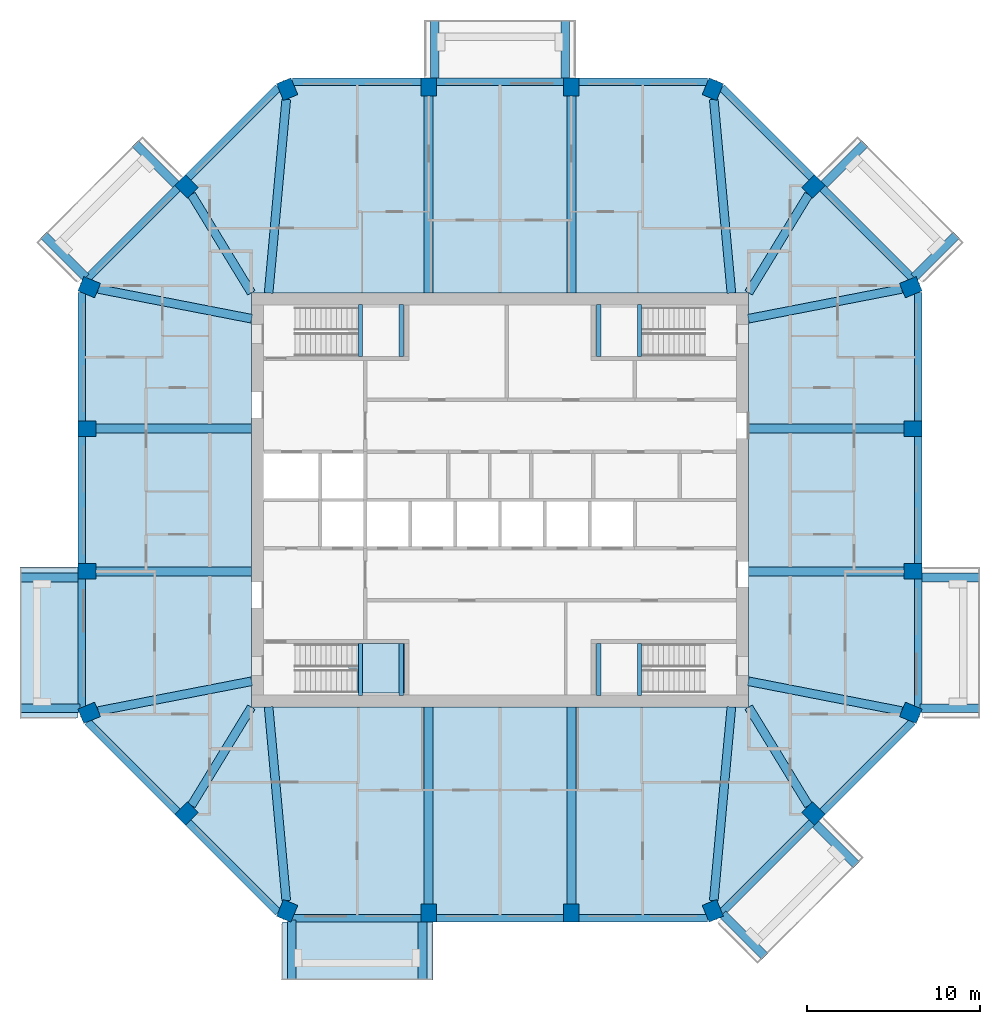
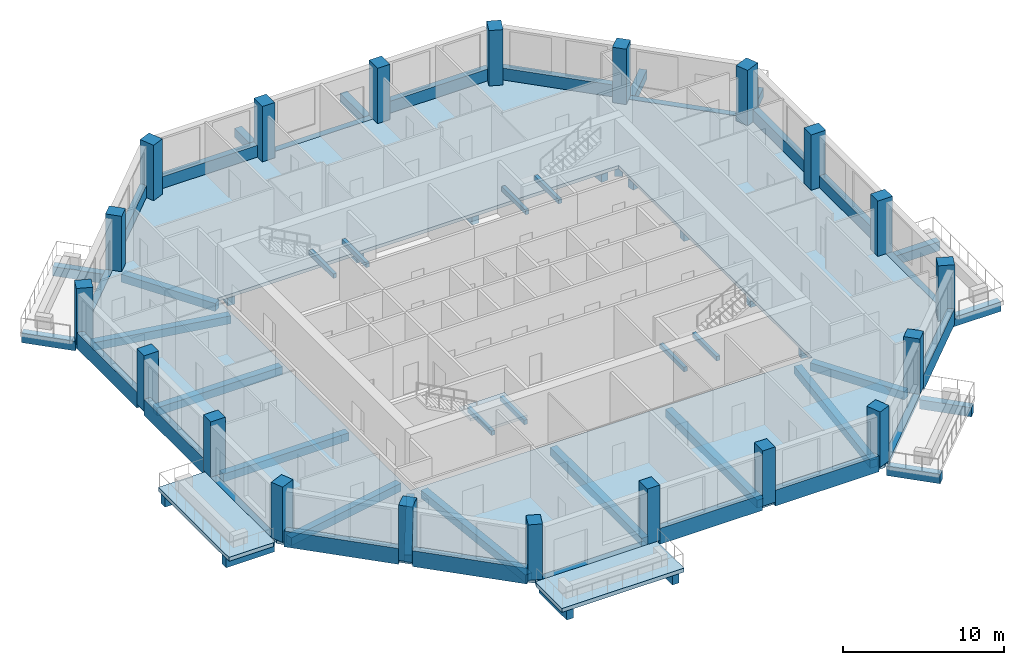
# One storey, part 1 of 10: 62 beams, 20 columns, 4 slabs, 1 element without a shape of its own.
"""IFC4 building model written with IfcOpenShell, lengths in metres."""

from ifc_helpers import new_model, si_unit, direction, frame, origin, origin_2d, place, context, subcontext, project, spatial, polyline, rectangle, outline, extrude, material, layer, layer_set, material_profile, profile_set, type_object, element, aggregate, save


model = new_model("IFC4")

# Units and contexts
model_context = context("Model", 3, precision=1e-05, world=origin(), true_north=direction((0.0, 1.0)))
body_context = subcontext(model_context, "Body", "Model", "MODEL_VIEW")
ifc_project = project(units=[si_unit("LENGTHUNIT", "METRE"), si_unit("AREAUNIT", "SQUARE_METRE"), si_unit("VOLUMEUNIT", "CUBIC_METRE"), si_unit("PLANEANGLEUNIT", "RADIAN"), si_unit("MASSUNIT", "GRAM", prefix="KILO")], contexts=[model_context])

# Site, building, storey
site_placement = place(None, origin())
site = spatial("IfcSite", under=ifc_project, at=site_placement, CompositionType="ELEMENT")
building_placement = place(site_placement, origin())
building = spatial("IfcBuilding", under=site, at=building_placement, Name="Msitu Wima Residences", CompositionType="ELEMENT")
storey_placement = place(building_placement, frame((0.0, 0.0, 195.89990234375)))
storey = spatial("IfcBuildingStorey", under=building, at=storey_placement, Name="L45", CompositionType="ELEMENT", Elevation=195.89990234375)

# Columns
ifc_material_1 = material(Name="Concrete C60/75", Category="concrete")
ifc_material_profile_1 = material_profile(ifc_material_1, rectangle(XDim=0.89990234375, YDim=1.050048828125, at=origin_2d()), Name="RC 900x1050")
ifc_profile_set_1 = profile_set([ifc_material_profile_1], Name="Concrete C60/75")
column_type = type_object("IfcColumnType", Name="Column RC 900x1050 Concrete C60/75", PredefinedType="COLUMN", material=ifc_profile_set_1)
for number, where, z_axis, x_axis, name in (
    (1, (23.792724609375, -12.325927734375, 0.0), (0.0, 0.0, 1.0), (0.382683496864, 0.923879505795, 0.0), "Column L45 C-E0"),
    (2, (23.925048828125, -4.13720703125, 0.0), (0.0, 0.0, 1.0), (0.0, 1.0, 0.0), "Column L45 C-E1"),
    (3, (23.925048828125, 4.13720703125, 0.0), (0.0, 0.0, 1.0), (0.0, 1.0, 0.0), "Column L45 C-E2"),
    (4, (23.792724609375, 12.325927734375, 0.0), (0.0, 0.0, 1.0), (-0.382683496864, 0.923879505795, 0.0), "Column L45 C-NE0"),
    (5, (18.15283203125, 18.15283203125, 0.0), (0.0, 0.0, 1.0), (-0.707106781187, 0.707106781187, 0.0), "Column L45 C-NE1"),
    (6, (12.325927734375, 23.792724609375, 0.0), (0.0, 0.0, 1.0), (-0.923879505795, 0.382683496864, 0.0), "Column L45 C-N0"),
    (7, (4.13720703125, 23.925048828125, 0.0), (0.0, 0.0, 1.0), (-1.0, 0.0, 0.0), "Column L45 C-N1"),
    (8, (-4.13720703125, 23.925048828125, 0.0), (0.0, 0.0, 1.0), (-1.0, 0.0, 0.0), "Column L45 C-N2"),
    (9, (-12.325927734375, 23.792724609375, 0.0), (0.0, 0.0, 1.0), (-0.923879505795, -0.382683496864, 0.0), "Column L45 C-NW0"),
    (10, (-18.15283203125, 18.15283203125, 0.0), (0.0, 0.0, 1.0), (-0.707106781187, -0.707106781187, 0.0), "Column L45 C-NW1"),
    (11, (-23.792724609375, 12.325927734375, 0.0), (0.0, 0.0, 1.0), (-0.382683496864, -0.923879505795, 0.0), "Column L45 C-W0"),
    (12, (-23.925048828125, 4.13720703125, 0.0), (0.0, 0.0, 1.0), (0.0, -1.0, 0.0), "Column L45 C-W1"),
    (13, (-23.925048828125, -4.13720703125, 0.0), (0.0, 0.0, 1.0), (0.0, -1.0, 0.0), "Column L45 C-W2"),
    (14, (-23.792724609375, -12.325927734375, 0.0), (0.0, 0.0, 1.0), (0.382683496864, -0.923879505795, 0.0), "Column L45 C-SW0"),
    (15, (-18.15283203125, -18.15283203125, 0.0), (0.0, 0.0, 1.0), (0.707106781187, -0.707106781187, 0.0), "Column L45 C-SW1"),
    (16, (-12.325927734375, -23.792724609375, 0.0), (0.0, 0.0, 1.0), (0.923879505795, -0.382683496864, 0.0), "Column L45 C-S0"),
    (17, (-4.13720703125, -23.925048828125, 0.0), (0.0, 0.0, 1.0), (1.0, 0.0, 0.0), "Column L45 C-S1"),
    (18, (4.13720703125, -23.925048828125, 0.0), (0.0, 0.0, 1.0), (1.0, 0.0, 0.0), "Column L45 C-S2"),
    (19, (12.325927734375, -23.792724609375, 0.0), (0.0, 0.0, 1.0), (0.923879505795, 0.382683496864, 0.0), "Column L45 C-SE0"),
    (20, (18.15283203125, -18.15283203125, 0.0), (0.0, 0.0, 1.0), (0.707106781187, 0.707106781187, 0.0), "Column L45 C-SE1"),
):
    element("IfcColumn", number, at=place(storey_placement, frame(where, z_axis=z_axis, x_axis=x_axis)), inside=storey, type_object=column_type, Name=name, PredefinedType="COLUMN", context=body_context, shape_type="SweptSolid", body=[
        extrude(rectangle(XDim=0.89990234375, YDim=1.050048828125, at=origin_2d()), origin(), (0.0, 0.0, 1.0), 4.2001953125),
    ])

# Beams
ifc_material_2 = material(Name="Concrete C50/60", Category="concrete")
ifc_material_profile_2 = material_profile(ifc_material_2, rectangle(XDim=0.5, YDim=0.60009765625, at=origin_2d()), Name="RC 500x600")
ifc_profile_set_2 = profile_set([ifc_material_profile_2], Name="Concrete C50/60")
beam_type_1 = type_object("IfcBeamType", Name="Beam RC 500x600 Concrete C50/60", PredefinedType="BEAM", material=ifc_profile_set_2)
beam_1_placement = place(storey_placement, frame((23.266845703125, -12.2236328125, -0.5498046875), z_axis=(-0.981627328559, 0.190808248841, 0.0), x_axis=(-0.190808248841, -0.981627328559, 0.0)))
element("IfcBeam", 21, at=beam_1_placement, inside=storey, type_object=beam_type_1, Name="Beam L45 C-E0", PredefinedType="BEAM", context=body_context, shape_type="SweptSolid", body=[
    extrude(rectangle(XDim=0.5, YDim=0.60009765625, at=origin_2d()), origin(), (0.0, 0.0, 1.0), 9.044921875),
])
for number, where, z_axis, x_axis, name in (
    (22, (23.39990234375, -4.13720703125, -0.5498046875), (-1.0, 0.0, 0.0), (0.0, -1.0, 0.0), "Beam L45 C-E1"),
    (23, (23.39990234375, 4.13720703125, -0.5498046875), (-1.0, 0.0, 0.0), (0.0, -1.0, 0.0), "Beam L45 C-E2"),
):
    element("IfcBeam", number, at=place(storey_placement, frame(where, z_axis=z_axis, x_axis=x_axis)), inside=storey, type_object=beam_type_1, Name=name, PredefinedType="BEAM", context=body_context, shape_type="SweptSolid", body=[
        extrude(rectangle(XDim=0.5, YDim=0.60009765625, at=origin_2d()), origin(), (0.0, 0.0, 1.0), 9.0),
    ])
beam_2_placement = place(storey_placement, frame((23.266845703125, 12.2236328125, -0.5498046875), z_axis=(-0.981627328559, -0.190808248841, 0.0), x_axis=(0.190808248841, -0.981627328559, 0.0)))
element("IfcBeam", 24, at=beam_2_placement, inside=storey, type_object=beam_type_1, Name="Beam L45 C-NE0", PredefinedType="BEAM", context=body_context, shape_type="SweptSolid", body=[
    extrude(rectangle(XDim=0.5, YDim=0.60009765625, at=origin_2d()), origin(), (0.0, 0.0, 1.0), 9.044921875),
])
beam_3_placement = place(storey_placement, frame((17.87158203125, 17.691650390625, -0.5498046875), z_axis=(-0.520734381113, -0.853718750132, 0.0), x_axis=(0.853718750132, -0.520734381113, 0.0)))
element("IfcBeam", 25, at=beam_3_placement, inside=storey, type_object=beam_type_1, Name="Beam L45 C-NE1", PredefinedType="BEAM", context=body_context, shape_type="SweptSolid", body=[
    extrude(rectangle(XDim=0.5, YDim=0.60009765625, at=origin_2d()), origin(), (0.0, 0.0, 1.0), 6.6669921875),
])
beam_4_placement = place(storey_placement, frame((12.379638671875, 23.2021484375, -0.5498046875), z_axis=(0.090713636077, -0.995877018627, 0.0), x_axis=(0.995877018627, 0.090713636077, 0.0)))
element("IfcBeam", 26, at=beam_4_placement, inside=storey, type_object=beam_type_1, Name="Beam L45 C-N0", PredefinedType="BEAM", context=body_context, shape_type="SweptSolid", body=[
    extrude(rectangle(XDim=0.5, YDim=0.60009765625, at=origin_2d()), origin(), (0.0, 0.0, 1.0), 11.260498046875),
])
for number, where, z_axis, x_axis, name in (
    (27, (4.13720703125, 23.39990234375, -0.5498046875), (0.0, -1.0, 0.0), (1.0, 0.0, 0.0), "Beam L45 C-N1"),
    (28, (-4.13720703125, 23.39990234375, -0.5498046875), (0.0, -1.0, 0.0), (1.0, 0.0, 0.0), "Beam L45 C-N2"),
):
    element("IfcBeam", number, at=place(storey_placement, frame(where, z_axis=z_axis, x_axis=x_axis)), inside=storey, type_object=beam_type_1, Name=name, PredefinedType="BEAM", context=body_context, shape_type="SweptSolid", body=[
        extrude(rectangle(XDim=0.5, YDim=0.60009765625, at=origin_2d()), origin(), (0.0, 0.0, 1.0), 11.39990234375),
    ])
beam_5_placement = place(storey_placement, frame((-12.379638671875, 23.2021484375, -0.5498046875), z_axis=(-0.090713636077, -0.995877018627, 0.0), x_axis=(0.995877018627, -0.090713636077, 0.0)))
element("IfcBeam", 29, at=beam_5_placement, inside=storey, type_object=beam_type_1, Name="Beam L45 C-NW0", PredefinedType="BEAM", context=body_context, shape_type="SweptSolid", body=[
    extrude(rectangle(XDim=0.5, YDim=0.60009765625, at=origin_2d()), origin(), (0.0, 0.0, 1.0), 11.260498046875),
])
beam_6_placement = place(storey_placement, frame((-17.87158203125, 17.691650390625, -0.5498046875), z_axis=(0.520734381113, -0.853718750132, 0.0), x_axis=(0.853718750132, 0.520734381113, 0.0)))
element("IfcBeam", 30, at=beam_6_placement, inside=storey, type_object=beam_type_1, Name="Beam L45 C-NW1", PredefinedType="BEAM", context=body_context, shape_type="SweptSolid", body=[
    extrude(rectangle(XDim=0.5, YDim=0.60009765625, at=origin_2d()), origin(), (0.0, 0.0, 1.0), 6.6669921875),
])
beam_7_placement = place(storey_placement, frame((-23.266845703125, 12.2236328125, -0.5498046875), z_axis=(0.981627328559, -0.190808248841, 0.0), x_axis=(0.190808248841, 0.981627328559, 0.0)))
element("IfcBeam", 31, at=beam_7_placement, inside=storey, type_object=beam_type_1, Name="Beam L45 C-W0", PredefinedType="BEAM", context=body_context, shape_type="SweptSolid", body=[
    extrude(rectangle(XDim=0.5, YDim=0.60009765625, at=origin_2d()), origin(), (0.0, 0.0, 1.0), 9.044921875),
])
for number, where, z_axis, x_axis, name in (
    (32, (-23.39990234375, 4.13720703125, -0.5498046875), (1.0, 0.0, 0.0), (0.0, 1.0, 0.0), "Beam L45 C-W1"),
    (33, (-23.39990234375, -4.13720703125, -0.5498046875), (1.0, 0.0, 0.0), (0.0, 1.0, 0.0), "Beam L45 C-W2"),
):
    element("IfcBeam", number, at=place(storey_placement, frame(where, z_axis=z_axis, x_axis=x_axis)), inside=storey, type_object=beam_type_1, Name=name, PredefinedType="BEAM", context=body_context, shape_type="SweptSolid", body=[
        extrude(rectangle(XDim=0.5, YDim=0.60009765625, at=origin_2d()), origin(), (0.0, 0.0, 1.0), 9.0),
    ])
beam_8_placement = place(storey_placement, frame((-23.266845703125, -12.2236328125, -0.5498046875), z_axis=(0.981627328559, 0.190808248841, 0.0), x_axis=(-0.190808248841, 0.981627328559, 0.0)))
element("IfcBeam", 34, at=beam_8_placement, inside=storey, type_object=beam_type_1, Name="Beam L45 C-SW0", PredefinedType="BEAM", context=body_context, shape_type="SweptSolid", body=[
    extrude(rectangle(XDim=0.5, YDim=0.60009765625, at=origin_2d()), origin(), (0.0, 0.0, 1.0), 9.044921875),
])
beam_9_placement = place(storey_placement, frame((-17.87158203125, -17.691650390625, -0.5498046875), z_axis=(0.520734381113, 0.853718750132, 0.0), x_axis=(-0.853718750132, 0.520734381113, 0.0)))
element("IfcBeam", 35, at=beam_9_placement, inside=storey, type_object=beam_type_1, Name="Beam L45 C-SW1", PredefinedType="BEAM", context=body_context, shape_type="SweptSolid", body=[
    extrude(rectangle(XDim=0.5, YDim=0.60009765625, at=origin_2d()), origin(), (0.0, 0.0, 1.0), 6.6669921875),
])
beam_10_placement = place(storey_placement, frame((-12.379638671875, -23.2021484375, -0.5498046875), z_axis=(-0.090713636077, 0.995877018627, 0.0), x_axis=(-0.995877018627, -0.090713636077, 0.0)))
element("IfcBeam", 36, at=beam_10_placement, inside=storey, type_object=beam_type_1, Name="Beam L45 C-S0", PredefinedType="BEAM", context=body_context, shape_type="SweptSolid", body=[
    extrude(rectangle(XDim=0.5, YDim=0.60009765625, at=origin_2d()), origin(), (0.0, 0.0, 1.0), 11.260498046875),
])
for number, where, z_axis, x_axis, name in (
    (37, (-4.13720703125, -23.39990234375, -0.5498046875), (0.0, 1.0, 0.0), (-1.0, 0.0, 0.0), "Beam L45 C-S1"),
    (38, (4.13720703125, -23.39990234375, -0.5498046875), (0.0, 1.0, 0.0), (-1.0, 0.0, 0.0), "Beam L45 C-S2"),
):
    element("IfcBeam", number, at=place(storey_placement, frame(where, z_axis=z_axis, x_axis=x_axis)), inside=storey, type_object=beam_type_1, Name=name, PredefinedType="BEAM", context=body_context, shape_type="SweptSolid", body=[
        extrude(rectangle(XDim=0.5, YDim=0.60009765625, at=origin_2d()), origin(), (0.0, 0.0, 1.0), 11.39990234375),
    ])
beam_11_placement = place(storey_placement, frame((12.379638671875, -23.2021484375, -0.5498046875), z_axis=(0.090713636077, 0.995877018627, 0.0), x_axis=(-0.995877018627, 0.090713636077, 0.0)))
element("IfcBeam", 39, at=beam_11_placement, inside=storey, type_object=beam_type_1, Name="Beam L45 C-SE0", PredefinedType="BEAM", context=body_context, shape_type="SweptSolid", body=[
    extrude(rectangle(XDim=0.5, YDim=0.60009765625, at=origin_2d()), origin(), (0.0, 0.0, 1.0), 11.260498046875),
])
beam_12_placement = place(storey_placement, frame((17.87158203125, -17.691650390625, -0.5498046875), z_axis=(-0.520734381113, 0.853718750132, 0.0), x_axis=(-0.853718750132, -0.520734381113, 0.0)))
element("IfcBeam", 40, at=beam_12_placement, inside=storey, type_object=beam_type_1, Name="Beam L45 C-SE1", PredefinedType="BEAM", context=body_context, shape_type="SweptSolid", body=[
    extrude(rectangle(XDim=0.5, YDim=0.60009765625, at=origin_2d()), origin(), (0.0, 0.0, 1.0), 6.6669921875),
])
ifc_material_profile_3 = material_profile(ifc_material_2, rectangle(XDim=0.5, YDim=0.699951171875, at=origin_2d()), Name="RC 500x700")
ifc_profile_set_3 = profile_set([ifc_material_profile_3], Name="Concrete C50/60")
beam_type_2 = type_object("IfcBeamType", Name="Cantilever beam RC 500x700 Concrete C50/60", PredefinedType="BEAM", material=ifc_profile_set_3)
beam_13_placement = place(storey_placement, frame((24.330810546875, -12.061767578125, -0.64990234375), z_axis=(1.0, 0.0, 0.0), x_axis=(0.0, 1.0, 0.0)))
element("IfcBeam", 41, at=beam_13_placement, inside=storey, type_object=beam_type_2, Name="Cantilever beam L45 BA-E0 A", PredefinedType="BEAM", context=body_context, shape_type="SweptSolid", body=[
    extrude(rectangle(XDim=0.5, YDim=0.699951171875, at=origin_2d()), origin(), (0.0, 0.0, 1.0), 3.46923828125),
])
beam_14_placement = place(storey_placement, frame((24.449951171875, -4.4873046875, -0.64990234375), z_axis=(1.0, 0.0, 0.0), x_axis=(0.0, 1.0, 0.0)))
element("IfcBeam", 42, at=beam_14_placement, inside=storey, type_object=beam_type_2, Name="Cantilever beam L45 BA-E0 B", PredefinedType="BEAM", context=body_context, shape_type="SweptSolid", body=[
    extrude(rectangle(XDim=0.5, YDim=0.699951171875, at=origin_2d()), origin(), (0.0, 0.0, 1.0), 3.35009765625),
])
beam_15_placement = place(storey_placement, frame((23.986572265625, 12.893310546875, -0.64990234375), z_axis=(0.707106781187, 0.707106781187, 0.0), x_axis=(-0.707106781187, 0.707106781187, 0.0)))
element("IfcBeam", 43, at=beam_15_placement, inside=storey, type_object=beam_type_2, Name="Cantilever beam L45 BA-NE0 A", PredefinedType="BEAM", context=body_context, shape_type="SweptSolid", body=[
    extrude(rectangle(XDim=0.5, YDim=0.699951171875, at=origin_2d()), origin(), (0.0, 0.0, 1.0), 3.468994140625),
])
for number, where, z_axis, x_axis, name in (
    (44, (18.771484375, 18.276611328125, -0.64990234375), (0.707106781187, 0.707106781187, 0.0), (-0.707106781187, 0.707106781187, 0.0), "Cantilever beam L45 BA-NE0 B"),
    (45, (3.787353515625, 24.449951171875, -0.64990234375), (0.0, 1.0, 0.0), (-1.0, 0.0, 0.0), "Cantilever beam L45 BA-N1 A"),
    (46, (-3.787353515625, 24.449951171875, -0.64990234375), (0.0, 1.0, 0.0), (-1.0, 0.0, 0.0), "Cantilever beam L45 BA-N1 B"),
    (47, (-18.771484375, 18.276611328125, -0.64990234375), (-0.707106781187, 0.707106781187, 0.0), (-0.707106781187, -0.707106781187, 0.0), "Cantilever beam L45 BA-NW1 A"),
):
    element("IfcBeam", number, at=place(storey_placement, frame(where, z_axis=z_axis, x_axis=x_axis)), inside=storey, type_object=beam_type_2, Name=name, PredefinedType="BEAM", context=body_context, shape_type="SweptSolid", body=[
        extrude(rectangle(XDim=0.5, YDim=0.699951171875, at=origin_2d()), origin(), (0.0, 0.0, 1.0), 3.35009765625),
    ])
beam_16_placement = place(storey_placement, frame((-23.986572265625, 12.893310546875, -0.64990234375), z_axis=(-0.707106781187, 0.707106781187, 0.0), x_axis=(-0.707106781187, -0.707106781187, 0.0)))
element("IfcBeam", 48, at=beam_16_placement, inside=storey, type_object=beam_type_2, Name="Cantilever beam L45 BA-NW1 B", PredefinedType="BEAM", context=body_context, shape_type="SweptSolid", body=[
    extrude(rectangle(XDim=0.5, YDim=0.699951171875, at=origin_2d()), origin(), (0.0, 0.0, 1.0), 3.468994140625),
])
beam_17_placement = place(storey_placement, frame((-24.449951171875, -4.4873046875, -0.64990234375), z_axis=(-1.0, 0.0, 0.0), x_axis=(0.0, -1.0, 0.0)))
element("IfcBeam", 49, at=beam_17_placement, inside=storey, type_object=beam_type_2, Name="Cantilever beam L45 BA-W2 A", PredefinedType="BEAM", context=body_context, shape_type="SweptSolid", body=[
    extrude(rectangle(XDim=0.5, YDim=0.699951171875, at=origin_2d()), origin(), (0.0, 0.0, 1.0), 3.35009765625),
])
for number, where, z_axis, x_axis, name in (
    (50, (-24.330810546875, -12.061767578125, -0.64990234375), (-1.0, 0.0, 0.0), (0.0, -1.0, 0.0), "Cantilever beam L45 BA-W2 B"),
    (51, (-12.061767578125, -24.330810546875, -0.64990234375), (0.0, -1.0, 0.0), (1.0, 0.0, 0.0), "Cantilever beam L45 BA-S0 A"),
):
    element("IfcBeam", number, at=place(storey_placement, frame(where, z_axis=z_axis, x_axis=x_axis)), inside=storey, type_object=beam_type_2, Name=name, PredefinedType="BEAM", context=body_context, shape_type="SweptSolid", body=[
        extrude(rectangle(XDim=0.5, YDim=0.699951171875, at=origin_2d()), origin(), (0.0, 0.0, 1.0), 3.46923828125),
    ])
beam_18_placement = place(storey_placement, frame((-4.4873046875, -24.449951171875, -0.64990234375), z_axis=(0.0, -1.0, 0.0), x_axis=(1.0, 0.0, 0.0)))
element("IfcBeam", 52, at=beam_18_placement, inside=storey, type_object=beam_type_2, Name="Cantilever beam L45 BA-S0 B", PredefinedType="BEAM", context=body_context, shape_type="SweptSolid", body=[
    extrude(rectangle(XDim=0.5, YDim=0.699951171875, at=origin_2d()), origin(), (0.0, 0.0, 1.0), 3.35009765625),
])
beam_19_placement = place(storey_placement, frame((12.893310546875, -23.986572265625, -0.64990234375), z_axis=(0.707106781187, -0.707106781187, 0.0), x_axis=(0.707106781187, 0.707106781187, 0.0)))
element("IfcBeam", 53, at=beam_19_placement, inside=storey, type_object=beam_type_2, Name="Cantilever beam L45 BA-SE0 A", PredefinedType="BEAM", context=body_context, shape_type="SweptSolid", body=[
    extrude(rectangle(XDim=0.5, YDim=0.699951171875, at=origin_2d()), origin(), (0.0, 0.0, 1.0), 3.468994140625),
])
beam_20_placement = place(storey_placement, frame((18.276611328125, -18.771484375, -0.64990234375), z_axis=(0.707106781187, -0.707106781187, 0.0), x_axis=(0.707106781187, 0.707106781187, 0.0)))
element("IfcBeam", 54, at=beam_20_placement, inside=storey, type_object=beam_type_2, Name="Cantilever beam L45 BA-SE0 B", PredefinedType="BEAM", context=body_context, shape_type="SweptSolid", body=[
    extrude(rectangle(XDim=0.5, YDim=0.699951171875, at=origin_2d()), origin(), (0.0, 0.0, 1.0), 3.35009765625),
])
ifc_material_profile_4 = material_profile(ifc_material_2, rectangle(XDim=0.449951171875, YDim=0.300048828125, at=origin_2d()), Name="RC 450x300")
ifc_profile_set_4 = profile_set([ifc_material_profile_4], Name="Concrete C50/60")
beam_type_3 = type_object("IfcBeamType", Name="Edge beam RC 450x300 Concrete C50/60", PredefinedType="SPANDREL", material=ifc_profile_set_4)
beam_21_placement = place(storey_placement, frame((24.22509765625, -12.02978515625, -0.14990234375), z_axis=(0.0, 1.0, 0.0), x_axis=(-1.0, 0.0, 0.0)))
element("IfcBeam", 55, at=beam_21_placement, inside=storey, type_object=beam_type_3, Name="Spandrel L45 E0", PredefinedType="SPANDREL", context=body_context, shape_type="SweptSolid", body=[
    extrude(rectangle(XDim=0.449951171875, YDim=0.300048828125, at=origin_2d()), origin(), (0.0, 0.0, 1.0), 7.442626953125),
])
beam_22_placement = place(storey_placement, frame((23.88916015625, 12.8408203125, -0.14990234375), z_axis=(-0.707106781187, 0.707106781187, 0.0), x_axis=(-0.707106781187, -0.707106781187, 0.0)))
element("IfcBeam", 56, at=beam_22_placement, inside=storey, type_object=beam_type_3, Name="Spandrel L45 NE0", PredefinedType="SPANDREL", context=body_context, shape_type="SweptSolid", body=[
    extrude(rectangle(XDim=0.449951171875, YDim=0.300048828125, at=origin_2d()), origin(), (0.0, 0.0, 1.0), 7.362548828125),
])
beam_23_placement = place(storey_placement, frame((3.687255859375, 24.22509765625, -0.14990234375), z_axis=(-1.0, 0.0, 0.0), x_axis=(0.0, -1.0, 0.0)))
element("IfcBeam", 57, at=beam_23_placement, inside=storey, type_object=beam_type_3, Name="Spandrel L45 N1", PredefinedType="SPANDREL", context=body_context, shape_type="SweptSolid", body=[
    extrude(rectangle(XDim=0.449951171875, YDim=0.300048828125, at=origin_2d()), origin(), (0.0, 0.0, 1.0), 7.37451171875),
])
beam_24_placement = place(storey_placement, frame((-18.68310546875, 18.046875, -0.14990234375), z_axis=(-0.707106781187, -0.707106781187, 0.0), x_axis=(0.707106781187, -0.707106781187, 0.0)))
element("IfcBeam", 58, at=beam_24_placement, inside=storey, type_object=beam_type_3, Name="Spandrel L45 NW1", PredefinedType="SPANDREL", context=body_context, shape_type="SweptSolid", body=[
    extrude(rectangle(XDim=0.449951171875, YDim=0.300048828125, at=origin_2d()), origin(), (0.0, 0.0, 1.0), 7.362548828125),
])
for number, where, z_axis, x_axis, name in (
    (59, (-24.22509765625, -4.587158203125, -0.14990234375), (0.0, -1.0, 0.0), (1.0, 0.0, 0.0), "Spandrel L45 W2"),
    (60, (-12.02978515625, -24.22509765625, -0.14990234375), (1.0, 0.0, 0.0), (0.0, 1.0, 0.0), "Spandrel L45 S0"),
):
    element("IfcBeam", number, at=place(storey_placement, frame(where, z_axis=z_axis, x_axis=x_axis)), inside=storey, type_object=beam_type_3, Name=name, PredefinedType="SPANDREL", context=body_context, shape_type="SweptSolid", body=[
        extrude(rectangle(XDim=0.449951171875, YDim=0.300048828125, at=origin_2d()), origin(), (0.0, 0.0, 1.0), 7.442626953125),
    ])
beam_25_placement = place(storey_placement, frame((12.8408203125, -23.88916015625, -0.14990234375), z_axis=(0.707106781187, 0.707106781187, 0.0), x_axis=(-0.707106781187, 0.707106781187, 0.0)))
element("IfcBeam", 61, at=beam_25_placement, inside=storey, type_object=beam_type_3, Name="Spandrel L45 SE0", PredefinedType="SPANDREL", context=body_context, shape_type="SweptSolid", body=[
    extrude(rectangle(XDim=0.449951171875, YDim=0.300048828125, at=origin_2d()), origin(), (0.0, 0.0, 1.0), 7.362548828125),
])
ifc_material_3 = material(Name="Concrete C40/50", Category="concrete")
ifc_material_profile_5 = material_profile(ifc_material_3, rectangle(XDim=0.25, YDim=0.35009765625, at=origin_2d()), Name="RC 250x350")
ifc_profile_set_5 = profile_set([ifc_material_profile_5], Name="Concrete C40/50")
beam_type_4 = type_object("IfcBeamType", Name="Landing beam RC 250x350", PredefinedType="BEAM", material=ifc_profile_set_5)
for number, where, z_axis, x_axis, name in (
    (62, (-8.074951171875, 8.324951171875, 1.72509765625), (0.0, 1.0, 0.0), (-1.0, 0.0, 0.0), "Stair 1 landing beam"),
    (63, (-5.72509765625, 8.324951171875, 1.72509765625), (0.0, 1.0, 0.0), (-1.0, 0.0, 0.0), "Stair 1 landing beam"),
    (64, (-8.074951171875, -11.324951171875, 1.72509765625), (0.0, 1.0, 0.0), (-1.0, 0.0, 0.0), "Stair 2 landing beam"),
    (65, (-5.72509765625, -11.324951171875, 1.72509765625), (0.0, 1.0, 0.0), (-1.0, 0.0, 0.0), "Stair 2 landing beam"),
    (66, (8.074951171875, 8.324951171875, 1.72509765625), (0.0, 1.0, 0.0), (-1.0, 0.0, 0.0), "Stair 3 landing beam"),
    (67, (5.72509765625, 8.324951171875, 1.72509765625), (0.0, 1.0, 0.0), (-1.0, 0.0, 0.0), "Stair 3 landing beam"),
    (68, (8.074951171875, -11.324951171875, 1.72509765625), (0.0, 1.0, 0.0), (-1.0, 0.0, 0.0), "Stair 4 landing beam"),
    (69, (5.72509765625, -11.324951171875, 1.72509765625), (0.0, 1.0, 0.0), (-1.0, 0.0, 0.0), "Stair 4 landing beam"),
):
    element("IfcBeam", number, at=place(storey_placement, frame(where, z_axis=z_axis, x_axis=x_axis)), inside=storey, type_object=beam_type_4, Name=name, PredefinedType="BEAM", context=body_context, shape_type="SweptSolid", body=[
        extrude(rectangle(XDim=0.25, YDim=0.35009765625, at=origin_2d()), origin(), (0.0, 0.0, 1.0), 3.0),
    ])
ifc_material_profile_6 = material_profile(ifc_material_2, rectangle(XDim=0.449951171875, YDim=1.199951171875, at=origin_2d()), Name="RC 450x1200")
ifc_profile_set_6 = profile_set([ifc_material_profile_6], Name="Concrete C50/60")
beam_type_5 = type_object("IfcBeamType", Name="Spandrel RC 450x1200 Concrete C50/60", PredefinedType="SPANDREL", material=ifc_profile_set_6)
beam_26_placement = place(storey_placement, frame((24.22509765625, -3.687255859375, 0.300048828125), z_axis=(0.0, 1.0, 0.0), x_axis=(-1.0, 0.0, 0.0)))
element("IfcBeam", 70, at=beam_26_placement, inside=storey, type_object=beam_type_5, Name="Spandrel L45 E1", PredefinedType="SPANDREL", context=body_context, shape_type="SweptSolid", body=[
    extrude(rectangle(XDim=0.449951171875, YDim=1.199951171875, at=origin_2d()), origin(), (0.0, 0.0, 1.0), 7.37451171875),
])
beam_27_placement = place(storey_placement, frame((24.22509765625, 4.587158203125, 0.300048828125), z_axis=(0.0, 1.0, 0.0), x_axis=(-1.0, 0.0, 0.0)))
element("IfcBeam", 71, at=beam_27_placement, inside=storey, type_object=beam_type_5, Name="Spandrel L45 E2", PredefinedType="SPANDREL", context=body_context, shape_type="SweptSolid", body=[
    extrude(rectangle(XDim=0.449951171875, YDim=1.199951171875, at=origin_2d()), origin(), (0.0, 0.0, 1.0), 7.442626953125),
])
beam_28_placement = place(storey_placement, frame((18.046875, 18.68310546875, 0.300048828125), z_axis=(-0.707106781187, 0.707106781187, 0.0), x_axis=(-0.707106781187, -0.707106781187, 0.0)))
element("IfcBeam", 72, at=beam_28_placement, inside=storey, type_object=beam_type_5, Name="Spandrel L45 NE1", PredefinedType="SPANDREL", context=body_context, shape_type="SweptSolid", body=[
    extrude(rectangle(XDim=0.449951171875, YDim=1.199951171875, at=origin_2d()), origin(), (0.0, 0.0, 1.0), 7.362548828125),
])
for number, where, z_axis, x_axis, name in (
    (73, (12.02978515625, 24.22509765625, 0.300048828125), (-1.0, 0.0, 0.0), (0.0, -1.0, 0.0), "Spandrel L45 N0"),
    (74, (-4.587158203125, 24.22509765625, 0.300048828125), (-1.0, 0.0, 0.0), (0.0, -1.0, 0.0), "Spandrel L45 N2"),
):
    element("IfcBeam", number, at=place(storey_placement, frame(where, z_axis=z_axis, x_axis=x_axis)), inside=storey, type_object=beam_type_5, Name=name, PredefinedType="SPANDREL", context=body_context, shape_type="SweptSolid", body=[
        extrude(rectangle(XDim=0.449951171875, YDim=1.199951171875, at=origin_2d()), origin(), (0.0, 0.0, 1.0), 7.442626953125),
    ])
beam_29_placement = place(storey_placement, frame((-12.8408203125, 23.88916015625, 0.300048828125), z_axis=(-0.707106781187, -0.707106781187, 0.0), x_axis=(0.707106781187, -0.707106781187, 0.0)))
element("IfcBeam", 75, at=beam_29_placement, inside=storey, type_object=beam_type_5, Name="Spandrel L45 NW0", PredefinedType="SPANDREL", context=body_context, shape_type="SweptSolid", body=[
    extrude(rectangle(XDim=0.449951171875, YDim=1.199951171875, at=origin_2d()), origin(), (0.0, 0.0, 1.0), 7.362548828125),
])
beam_30_placement = place(storey_placement, frame((-24.22509765625, 12.02978515625, 0.300048828125), z_axis=(0.0, -1.0, 0.0), x_axis=(1.0, 0.0, 0.0)))
element("IfcBeam", 76, at=beam_30_placement, inside=storey, type_object=beam_type_5, Name="Spandrel L45 W0", PredefinedType="SPANDREL", context=body_context, shape_type="SweptSolid", body=[
    extrude(rectangle(XDim=0.449951171875, YDim=1.199951171875, at=origin_2d()), origin(), (0.0, 0.0, 1.0), 7.442626953125),
])
beam_31_placement = place(storey_placement, frame((-24.22509765625, 3.687255859375, 0.300048828125), z_axis=(0.0, -1.0, 0.0), x_axis=(1.0, 0.0, 0.0)))
element("IfcBeam", 77, at=beam_31_placement, inside=storey, type_object=beam_type_5, Name="Spandrel L45 W1", PredefinedType="SPANDREL", context=body_context, shape_type="SweptSolid", body=[
    extrude(rectangle(XDim=0.449951171875, YDim=1.199951171875, at=origin_2d()), origin(), (0.0, 0.0, 1.0), 7.37451171875),
])
for number, where, z_axis, x_axis, name in (
    (78, (-23.88916015625, -12.8408203125, 0.300048828125), (0.707106781187, -0.707106781187, 0.0), (0.707106781187, 0.707106781187, 0.0), "Spandrel L45 SW0"),
    (79, (-18.046875, -18.68310546875, 0.300048828125), (0.707106781187, -0.707106781187, 0.0), (0.707106781187, 0.707106781187, 0.0), "Spandrel L45 SW1"),
):
    element("IfcBeam", number, at=place(storey_placement, frame(where, z_axis=z_axis, x_axis=x_axis)), inside=storey, type_object=beam_type_5, Name=name, PredefinedType="SPANDREL", context=body_context, shape_type="SweptSolid", body=[
        extrude(rectangle(XDim=0.449951171875, YDim=1.199951171875, at=origin_2d()), origin(), (0.0, 0.0, 1.0), 7.362548828125),
    ])
beam_32_placement = place(storey_placement, frame((-3.687255859375, -24.22509765625, 0.300048828125), z_axis=(1.0, 0.0, 0.0), x_axis=(0.0, 1.0, 0.0)))
element("IfcBeam", 80, at=beam_32_placement, inside=storey, type_object=beam_type_5, Name="Spandrel L45 S1", PredefinedType="SPANDREL", context=body_context, shape_type="SweptSolid", body=[
    extrude(rectangle(XDim=0.449951171875, YDim=1.199951171875, at=origin_2d()), origin(), (0.0, 0.0, 1.0), 7.37451171875),
])
beam_33_placement = place(storey_placement, frame((4.587158203125, -24.22509765625, 0.300048828125), z_axis=(1.0, 0.0, 0.0), x_axis=(0.0, 1.0, 0.0)))
element("IfcBeam", 81, at=beam_33_placement, inside=storey, type_object=beam_type_5, Name="Spandrel L45 S2", PredefinedType="SPANDREL", context=body_context, shape_type="SweptSolid", body=[
    extrude(rectangle(XDim=0.449951171875, YDim=1.199951171875, at=origin_2d()), origin(), (0.0, 0.0, 1.0), 7.442626953125),
])
beam_34_placement = place(storey_placement, frame((18.68310546875, -18.046875, 0.300048828125), z_axis=(0.707106781187, 0.707106781187, 0.0), x_axis=(-0.707106781187, 0.707106781187, 0.0)))
element("IfcBeam", 82, at=beam_34_placement, inside=storey, type_object=beam_type_5, Name="Spandrel L45 SE1", PredefinedType="SPANDREL", context=body_context, shape_type="SweptSolid", body=[
    extrude(rectangle(XDim=0.449951171875, YDim=1.199951171875, at=origin_2d()), origin(), (0.0, 0.0, 1.0), 7.362548828125),
])

# Slabs
ifc_layer_1 = layer(ifc_material_3, 0.300048828125)
ifc_layer_set_1 = layer_set([ifc_layer_1], Name="Concrete C40/50")
slab_type_1 = type_object("IfcSlabType", Name="Balcony slab BS300", PredefinedType="FLOOR", material=ifc_layer_set_1)
slab_1_placement = place(storey_placement, frame((0.0, 0.0, -0.2998046875)))
element("IfcSlab", 83, at=slab_1_placement, inside=storey, type_object=slab_type_1, Name="Balcony W2 L45", PredefinedType="FLOOR", context=body_context, shape_type="SweptSolid", body=[
    extrude(outline(polyline([(-24.449951171875, -12.111083984375), (-24.449951171875, -12.111083984375), (-24.449951171875, -12.59814453125), (-24.603515625, -12.661865234375), (-27.800048828125, -12.661865234375), (-27.800048828125, -3.88720703125), (-24.449951171875, -3.88720703125), (-24.449951171875, -4.587158203125), (-24.449951171875, -4.587158203125), (-24.449951171875, -12.111083984375), (-24.449951171875, -12.111083984375)])), origin(), (0.0, 0.0, 1.0), 0.2998046875),
])
slab_2_placement = place(storey_placement, frame((0.0, 0.0, -0.2998046875)))
element("IfcSlab", 84, at=slab_2_placement, inside=storey, type_object=slab_type_1, Name="Balcony S0 L45", PredefinedType="FLOOR", context=body_context, shape_type="SweptSolid", body=[
    extrude(outline(polyline([(-12.111083984375, -24.449951171875), (-12.111083984375, -24.449951171875), (-4.587158203125, -24.449951171875), (-3.88720703125, -24.449951171875), (-3.88720703125, -27.800048828125), (-12.661865234375, -27.800048828125), (-12.661865234375, -24.603515625), (-12.59814453125, -24.449951171875), (-12.111083984375, -24.449951171875), (-12.111083984375, -24.449951171875)])), origin(), (0.0, 0.0, 1.0), 0.2998046875),
])
ifc_layer_2 = layer(ifc_material_3, 0.25)
ifc_layer_set_2 = layer_set([ifc_layer_2], Name="Concrete C40/50")
slab_type_2 = type_object("IfcSlabType", Name="PT flat slab 250 Concrete C40/50", PredefinedType="FLOOR", material=ifc_layer_set_2)
slab_3_placement = place(storey_placement, frame((0.0, 0.0, -0.25)))
element("IfcSlab", 85, at=slab_3_placement, inside=storey, type_object=slab_type_2, Name="Floor slab L45", PredefinedType="FLOOR", context=body_context, shape_type="SweptSolid", body=[
    extrude(outline(polyline([(24.300048828125, -12.5361328125), (12.5361328125, -24.300048828125), (-12.5361328125, -24.300048828125), (-24.300048828125, -12.5361328125), (-24.300048828125, 12.5361328125), (-12.5361328125, 24.300048828125), (12.5361328125, 24.300048828125), (24.300048828125, 12.5361328125), (24.300048828125, -12.5361328125)]), holes=[polyline([(-14.39990234375, -12.0), (14.39990234375, -12.0), (14.39990234375, 12.0), (-14.39990234375, 12.0), (-14.39990234375, -12.0)])]), origin(), (0.0, 0.0, 1.0), 0.25),
])

# Stair, slab
stair_type = type_object("IfcStairType", Name="Exit stair ES1615-135", PredefinedType="HALF_TURN_STAIR", material=ifc_material_3)
stair_placement = place(storey_placement, origin())
stair = element("IfcStair", 86, at=stair_placement, inside=storey, type_object=stair_type, Name="Exit stair 2", PredefinedType="HALF_TURN_STAIR")
ifc_layer_3 = layer(ifc_material_3, 0.199951171875)
ifc_layer_set_3 = layer_set([ifc_layer_3], Name="Concrete C40/50")
slab_type_3 = type_object("IfcSlabType", Name="Stair landing SL200", PredefinedType="LANDING", material=ifc_layer_set_3)
slab_4_placement = place(storey_placement, frame((0.0, 0.0, 1.900146484375)))
slab_4 = element("IfcSlab", 87, at=slab_4_placement, type_object=slab_type_3, Name="S2 landing 1", PredefinedType="LANDING", context=body_context, shape_type="SweptSolid", body=[
    extrude(outline(polyline([(-5.52490234375, -11.175048828125), (-8.275390625, -11.175048828125), (-8.275390625, -9.75), (-8.77490234375, -9.75), (-8.77490234375, -8.324951171875), (-5.52490234375, -8.324951171875), (-5.52490234375, -11.175048828125)])), origin(), (0.0, 0.0, 1.0), 0.199951171875),
])
aggregate(stair, [slab_4])

save(model, "model.ifc")
